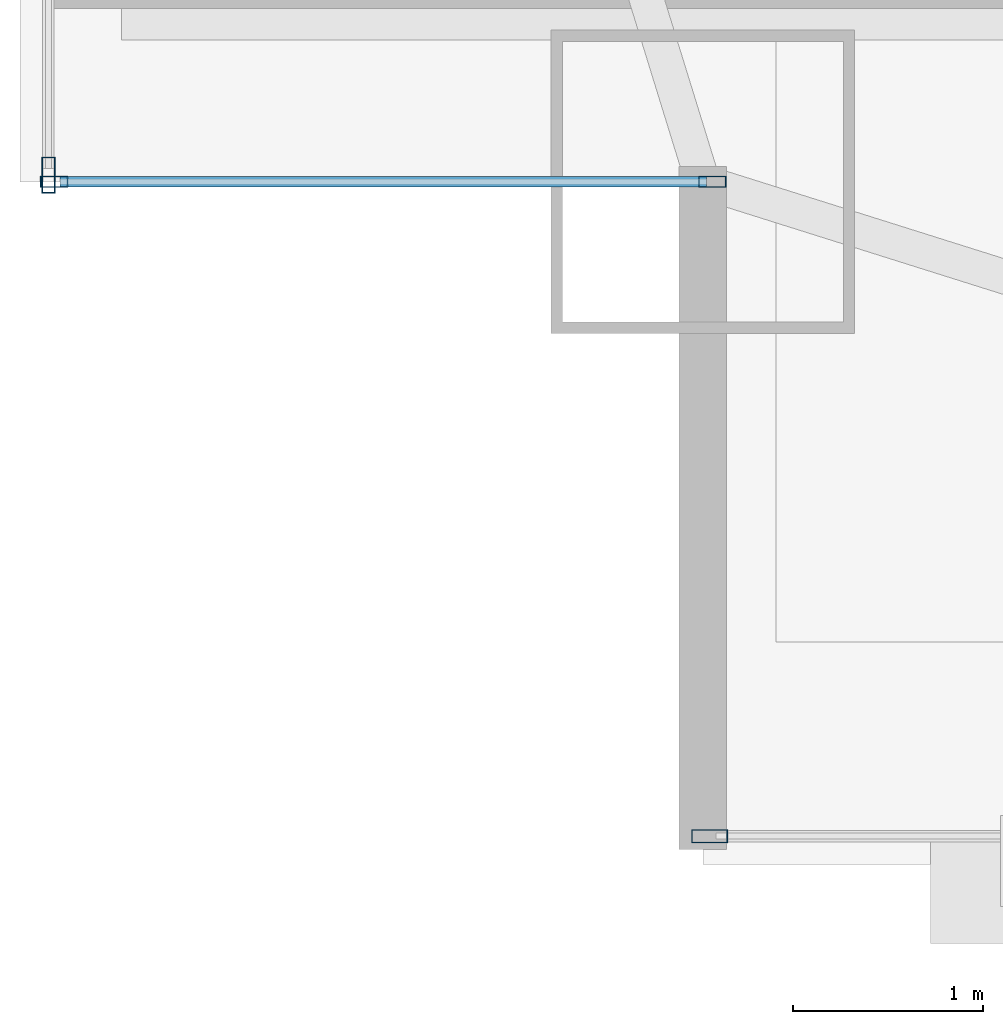
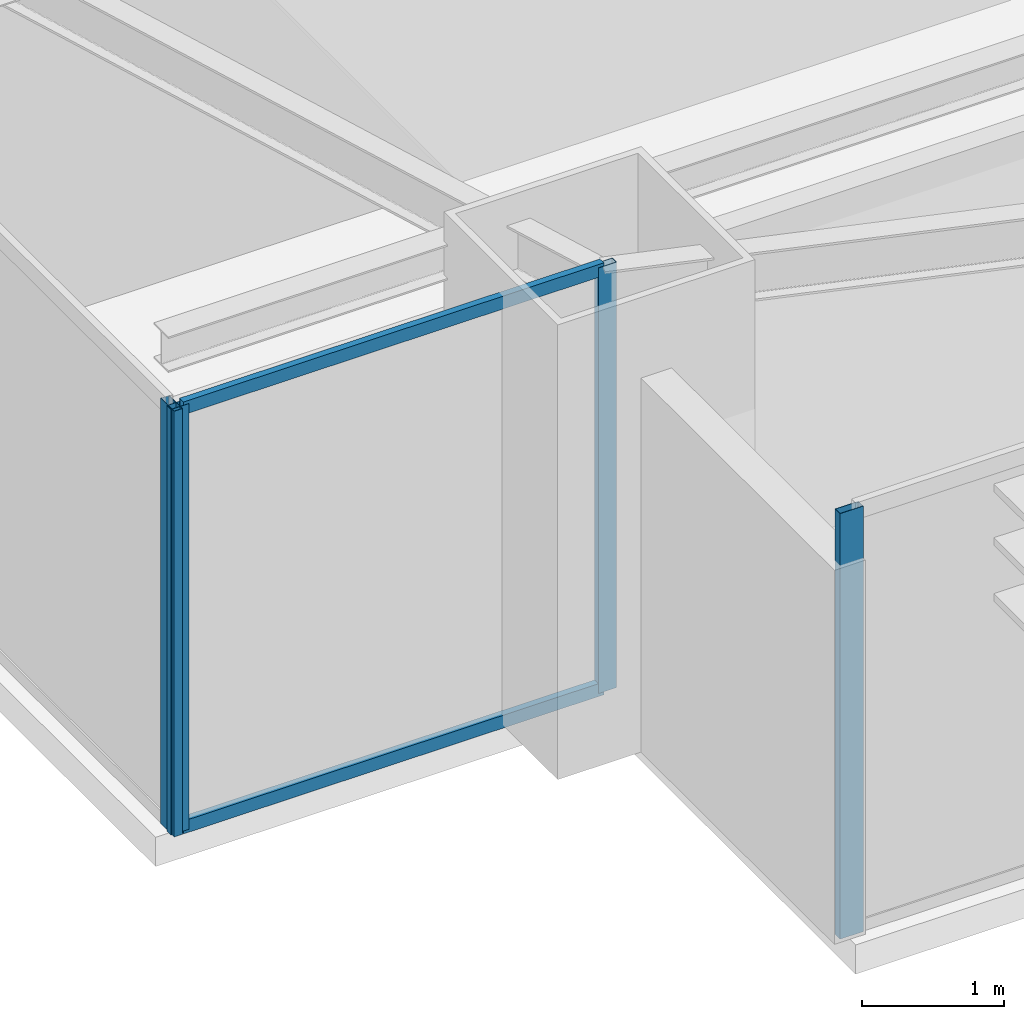
# One storey, part 3 of 32: 6 members, 3 elements without a shape of their own.
"""IFC4 building model written with IfcOpenShell, lengths in metres."""

from ifc_helpers import new_model, si_unit, direction, frame, origin, origin_2d, place, context, subcontext, project, spatial, hollow_rectangle, extrude, source, transform, mapped, material, layer, layer_set, material_profile, profile_set, type_object, type_shapes, element, aggregate, save


model = new_model("IFC4")

# Units and contexts
model_context = context("Model", 3, precision=1e-05, world=origin(), true_north=direction((0.0, 1.0)))
body_context = subcontext(model_context, "Body", "Model", "MODEL_VIEW")
ifc_project = project(units=[si_unit("LENGTHUNIT", "METRE"), si_unit("AREAUNIT", "SQUARE_METRE"), si_unit("VOLUMEUNIT", "CUBIC_METRE"), si_unit("PLANEANGLEUNIT", "RADIAN"), si_unit("MASSUNIT", "GRAM", prefix="KILO")], contexts=[model_context])

# Site, building, storey
site_placement = place(None, origin())
site = spatial("IfcSite", under=ifc_project, at=site_placement, CompositionType="ELEMENT")
building_placement = place(site_placement, origin())
building = spatial("IfcBuilding", under=site, at=building_placement, Name="Varnel Quay Broadcast Tower", CompositionType="ELEMENT")
storey_placement = place(building_placement, frame((0.0, 0.0, 43.199951171875)))
storey = spatial("IfcBuildingStorey", under=building, at=storey_placement, Name="L09", CompositionType="ELEMENT", Elevation=43.199951171875)

# Curtain wall, members
ifc_material = material(Name="Anodised Bronze Aluminium 6063-T6", Category="aluminium")
ifc_layer_1 = layer(ifc_material, 0.18994140625, Name="Anodised Bronze Aluminium 6063-T6")
ifc_layer_set_1 = layer_set([ifc_layer_1], Name="Anodised Bronze Aluminium 6063-T6")
curtain_wall_type_1 = type_object("IfcCurtainWallType", Name="CW_NotchCorner", PredefinedType="NOTDEFINED", material=ifc_layer_set_1)
curtain_wall_1_placement = place(storey_placement, origin())
curtain_wall_1 = element("IfcCurtainWall", 1, at=curtain_wall_1_placement, inside=storey, type_object=curtain_wall_type_1, Name="L09 SW Notch Curtain Wall", PredefinedType="NOTDEFINED")
ifc_material_profile_1 = material_profile(ifc_material, hollow_rectangle(XDim=0.054931640625, YDim=0.110107421875, WallThickness=0.0029296875, at=origin_2d()), Name="ALU55X110X3")
ifc_profile_set_1 = profile_set([ifc_material_profile_1], Name="Anodised Bronze Aluminium 6063-T6")
member_type_1 = type_object("IfcMemberType", Name="Tran_CWS-04", PredefinedType="USERDEFINED", material=ifc_profile_set_1)
shared_shape_1 = source(origin(), body_context, "Body", "SweptSolid", [
    extrude(hollow_rectangle(XDim=0.054931640625, YDim=0.110107421875, WallThickness=0.0029296875, at=origin_2d()), origin(), (0.0, 0.0, 1.0), 3.41015625),
])
type_shapes(member_type_1, [shared_shape_1])
member_1_placement = place(storey_placement, frame((2.2099609375, 4.800048828125, 0.027587890625), z_axis=(1.0, 0.0, 0.0), x_axis=(0.0, 1.0, 0.0)))
member_1 = element("IfcMember", 2, at=member_1_placement, type_object=member_type_1, Name="CWS-04 transom 1.1", ObjectType="TRANSOM", PredefinedType="USERDEFINED", context=body_context, shape_type="MappedRepresentation", body=[
    mapped(shared_shape_1, transform((0.0, 0.0, 0.0), x_axis=(1.0, 0.0, 0.0), y_axis=(0.0, 1.0, 0.0), z_axis=(0.0, 0.0, 1.0), scale=1.0)),
])
member_2_placement = place(storey_placement, frame((2.2099609375, 4.800048828125, 3.62255859375), z_axis=(1.0, 0.0, 0.0), x_axis=(0.0, 1.0, 0.0)))
member_2 = element("IfcMember", 3, at=member_2_placement, type_object=member_type_1, Name="CWS-04 transom 1.2", ObjectType="TRANSOM", PredefinedType="USERDEFINED", context=body_context, shape_type="MappedRepresentation", body=[
    mapped(shared_shape_1, transform((0.0, 0.0, 0.0), x_axis=(1.0, 0.0, 0.0), y_axis=(0.0, 1.0, 0.0), z_axis=(0.0, 0.0, 1.0), scale=1.0)),
])

# Curtain wall, member
ifc_layer_2 = layer(ifc_material, 0.18994140625, Name="Anodised Bronze Aluminium 6063-T6")
ifc_layer_set_2 = layer_set([ifc_layer_2], Name="Anodised Bronze Aluminium 6063-T6")
curtain_wall_type_2 = type_object("IfcCurtainWallType", Name="CW_LowerTower", PredefinedType="NOTDEFINED", material=ifc_layer_set_2)
curtain_wall_2_placement = place(storey_placement, origin())
curtain_wall_2 = element("IfcCurtainWall", 4, at=curtain_wall_2_placement, inside=storey, type_object=curtain_wall_type_2, Name="L09 South Unitised Curtain Wall 1", PredefinedType="NOTDEFINED")
ifc_material_profile_2 = material_profile(ifc_material, hollow_rectangle(XDim=0.070068359375, YDim=0.18994140625, WallThickness=0.00390625, at=origin_2d()), Name="ALU70X190X4")
ifc_profile_set_2 = profile_set([ifc_material_profile_2], Name="Anodised Bronze Aluminium 6063-T6")
member_type_2 = type_object("IfcMemberType", Name="Mull_CWS-02", PredefinedType="MULLION", material=ifc_profile_set_2)
shared_shape_2 = source(origin(), body_context, "Body", "SweptSolid", [
    extrude(hollow_rectangle(XDim=0.070068359375, YDim=0.18994140625, WallThickness=0.00390625, at=origin_2d()), origin(), (0.0, 0.0, 1.0), 3.650146484375),
])
type_shapes(member_type_2, [shared_shape_2])
member_3_placement = place(storey_placement, frame((5.635009765625, 1.35009765625, 0.0), z_axis=(0.0, 0.0, 1.0), x_axis=(0.0, 1.0, 0.0)))
member_3 = element("IfcMember", 5, at=member_3_placement, type_object=member_type_2, Name="CWS-02 mullion 1", PredefinedType="MULLION", context=body_context, shape_type="MappedRepresentation", body=[
    mapped(shared_shape_2, transform((0.0, 0.0, 0.0), x_axis=(1.0, 0.0, 0.0), y_axis=(0.0, 1.0, 0.0), z_axis=(0.0, 0.0, 1.0), scale=1.0)),
])
aggregate(curtain_wall_2, [member_3])

curtain_wall_3_placement = place(storey_placement, origin())
curtain_wall_3 = element("IfcCurtainWall", 6, at=curtain_wall_3_placement, inside=storey, type_object=curtain_wall_type_2, Name="L09 West Unitised Curtain Wall", PredefinedType="NOTDEFINED")
member_4_placement = place(storey_placement, frame((2.14990234375, 4.8349609375, 0.0), z_axis=(0.0, 0.0, 1.0), x_axis=(-1.0, 0.0, 0.0)))
member_4 = element("IfcMember", 7, at=member_4_placement, type_object=member_type_2, Name="CWS-02 mullion 1", PredefinedType="MULLION", context=body_context, shape_type="MappedRepresentation", body=[
    mapped(shared_shape_2, transform((0.0, 0.0, 0.0), x_axis=(1.0, 0.0, 0.0), y_axis=(0.0, 1.0, 0.0), z_axis=(0.0, 0.0, 1.0), scale=1.0)),
])
aggregate(curtain_wall_3, [member_4])

# Member
ifc_material_profile_3 = material_profile(ifc_material, hollow_rectangle(XDim=0.06005859375, YDim=0.14501953125, WallThickness=0.00341796875, at=origin_2d()), Name="ALU60X145X3.5")
ifc_profile_set_3 = profile_set([ifc_material_profile_3], Name="Anodised Bronze Aluminium 6063-T6")
member_type_3 = type_object("IfcMemberType", Name="Mull_CWS-04", PredefinedType="MULLION", material=ifc_profile_set_3)
shared_shape_3 = source(origin(), body_context, "Body", "SweptSolid", [
    extrude(hollow_rectangle(XDim=0.06005859375, YDim=0.14501953125, WallThickness=0.00341796875, at=origin_2d()), origin(), (0.0, 0.0, 1.0), 3.650146484375),
])
type_shapes(member_type_3, [shared_shape_3])
member_5_placement = place(storey_placement, frame((2.179931640625, 4.800048828125, 0.0), z_axis=(0.0, 0.0, 1.0), x_axis=(0.0, 1.0, 0.0)))
member_5 = element("IfcMember", 8, at=member_5_placement, type_object=member_type_3, Name="CWS-04 mullion 1", PredefinedType="MULLION", context=body_context, shape_type="MappedRepresentation", body=[
    mapped(shared_shape_3, transform((0.0, 0.0, 0.0), x_axis=(1.0, 0.0, 0.0), y_axis=(0.0, 1.0, 0.0), z_axis=(0.0, 0.0, 1.0), scale=1.0)),
])

member_6_placement = place(storey_placement, frame((5.64990234375, 4.800048828125, 0.0), z_axis=(0.0, 0.0, 1.0), x_axis=(0.0, 1.0, 0.0)))
member_6 = element("IfcMember", 9, at=member_6_placement, type_object=member_type_3, Name="CWS-04 mullion 2", PredefinedType="MULLION", context=body_context, shape_type="MappedRepresentation", body=[
    mapped(shared_shape_3, transform((0.0, 0.0, 0.0), x_axis=(1.0, 0.0, 0.0), y_axis=(0.0, 1.0, 0.0), z_axis=(0.0, 0.0, 1.0), scale=1.0)),
])

aggregate(curtain_wall_1, [member_5, member_6, member_1, member_2])

save(model, "model.ifc")
